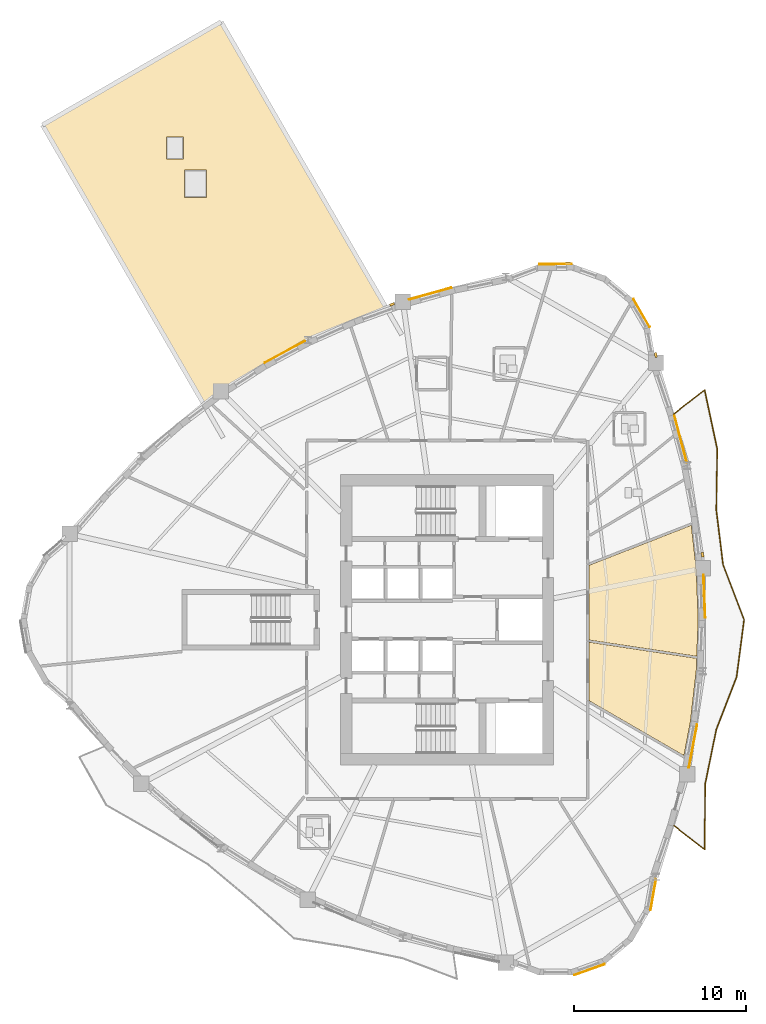
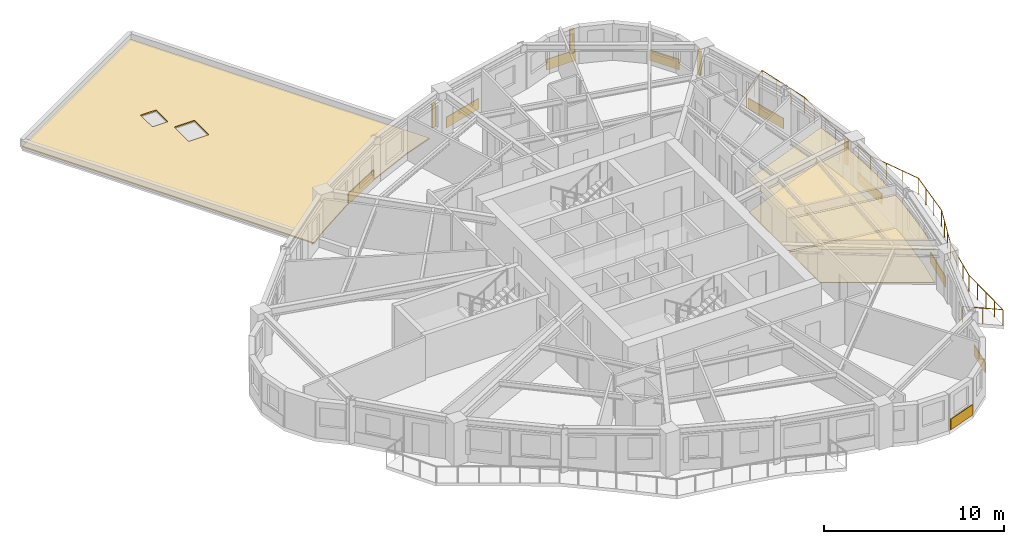
# One storey, part 12 of 13: 14 coverings, 4 shading devices, 1 railing.
"""IFC4 building model written with IfcOpenShell, lengths in metres."""

from ifc_helpers import new_model, si_unit, direction, frame, origin, origin_2d, place, context, subcontext, project, spatial, polyline, rectangle, circle, outline, extrude, source, transform, mapped, material, layer, layer_set, type_object, element, save


model = new_model("IFC4")

# Units and contexts
model_context = context("Model", 3, precision=1e-05, world=origin(), true_north=direction((0.0, 1.0)))
body_context = subcontext(model_context, "Body", "Model", "MODEL_VIEW")
ifc_project = project(units=[si_unit("LENGTHUNIT", "METRE"), si_unit("AREAUNIT", "SQUARE_METRE"), si_unit("VOLUMEUNIT", "CUBIC_METRE"), si_unit("PLANEANGLEUNIT", "RADIAN"), si_unit("MASSUNIT", "GRAM", prefix="KILO")], contexts=[model_context])

# Site, building, storey
site_placement = place(None, origin())
site = spatial("IfcSite", under=ifc_project, at=site_placement, CompositionType="ELEMENT")
building_placement = place(site_placement, origin())
building = spatial("IfcBuilding", under=site, at=building_placement, Name="Qafzar Sky-Pleat Residences", CompositionType="ELEMENT")
storey_placement = place(building_placement, frame((0.0, 0.0, 89.60009765625)))
storey = spatial("IfcBuildingStorey", under=building, at=storey_placement, Name="L26", CompositionType="ELEMENT", Elevation=89.60009765625)

# Coverings
ifc_material_1 = material(Name="Perforated acoustic gypsum board ceiling")
ifc_layer_1 = layer(ifc_material_1, 0.02001953125)
ifc_layer_set_1 = layer_set([ifc_layer_1], Name="Perforated acoustic gypsum board ceiling")
covering_type_1 = type_object("IfcCoveringType", Name="COV-CEIL-ACOUSTIC", PredefinedType="CEILING", material=ifc_layer_set_1)
covering_1_placement = place(storey_placement, frame((0.0, 0.0, 2.239990234375)))
element("IfcCovering", 1, at=covering_1_placement, inside=storey, type_object=covering_type_1, Name="L26 Communal Kitchen Acoustic Ceiling", PredefinedType="CEILING", context=body_context, shape_type="SweptSolid", body=[
    extrude(outline(polyline([(44.846435546875, 23.035400390625), (44.508544921875, 20.070068359375), (44.132080078125, 18.089111328125), (38.590087890625, 21.298095703125), (38.590087890625, 24.6982421875), (44.873779296875, 23.751708984375), (44.846435546875, 23.035400390625)])), origin(), (0.0, 0.0, 1.0), 0.02001953125),
])
covering_2_placement = place(storey_placement, frame((0.0, 0.0, 2.239990234375)))
element("IfcCovering", 2, at=covering_2_placement, inside=storey, type_object=covering_type_1, Name="L26 Co-Living Lounge Acoustic Ceiling", PredefinedType="CEILING", context=body_context, shape_type="SweptSolid", body=[
    extrude(outline(polyline([(44.846435546875, 28.964599609375), (44.959228515625, 26.0), (44.87841796875, 23.872314453125), (38.590087890625, 24.819580078125), (38.590087890625, 29.162841796875), (44.5576171875, 31.5), (44.846435546875, 28.964599609375)])), origin(), (0.0, 0.0, 1.0), 0.02001953125),
])
ifc_material_2 = material(Name="Honed porcelain and Riyadh stone tile flooring", Category="masonry")
ifc_layer_2 = layer(ifc_material_2, 0.02001953125)
ifc_layer_set_2 = layer_set([ifc_layer_2], Name="Honed porcelain and Riyadh stone tile flooring")
covering_type_2 = type_object("IfcCoveringType", Name="COV-FLR-PORCELAIN", PredefinedType="FLOORING", material=ifc_layer_set_2)
covering_3_placement = place(storey_placement, origin())
element("IfcCovering", 3, at=covering_3_placement, inside=storey, type_object=covering_type_2, Name="L26 Communal Kitchen Honed Stone Flooring", PredefinedType="FLOORING", context=body_context, shape_type="SweptSolid", body=[
    extrude(outline(polyline([(44.846435546875, 23.035400390625), (44.508544921875, 20.070068359375), (44.132080078125, 18.089111328125), (38.590087890625, 21.298095703125), (38.590087890625, 24.6982421875), (44.873779296875, 23.751708984375), (44.846435546875, 23.035400390625)])), origin(), (0.0, 0.0, 1.0), 0.02001953125),
])
covering_4_placement = place(storey_placement, origin())
element("IfcCovering", 4, at=covering_4_placement, inside=storey, type_object=covering_type_2, Name="L26 Co-Living Lounge Honed Stone Flooring", PredefinedType="FLOORING", context=body_context, shape_type="SweptSolid", body=[
    extrude(outline(polyline([(44.846435546875, 28.964599609375), (44.959228515625, 26.0), (44.87841796875, 23.872314453125), (38.590087890625, 24.819580078125), (38.590087890625, 29.162841796875), (44.5576171875, 31.5), (44.846435546875, 28.964599609375)])), origin(), (0.0, 0.0, 1.0), 0.02001953125),
])
ifc_material_3 = material(Name="Inverted elastomeric waterproofing membrane and gravel ballast")
ifc_layer_3 = layer(ifc_material_3, 0.080078125)
ifc_layer_set_3 = layer_set([ifc_layer_3], Name="Inverted elastomeric waterproofing membrane and gravel ballast")
covering_type_3 = type_object("IfcCoveringType", Name="COV-ROOF-MEMB", PredefinedType="ROOFING", material=ifc_layer_set_3)
covering_5_placement = place(storey_placement, origin())
element("IfcCovering", 5, at=covering_5_placement, inside=storey, type_object=covering_type_3, Name="L26 SB-2 Roof Waterproofing Membrane", PredefinedType="ROOFING", context=body_context, shape_type="SweptSolid", body=[
    extrude(outline(polyline([(6.792236328125, 54.802978515625), (17.1845703125, 60.802978515625), (26.782958984375, 44.178466796875), (24.94140625, 43.5166015625), (24.940185546875, 43.516357421875), (22.230224609375, 42.30859375), (22.229248046875, 42.30810546875), (19.6328125, 40.90771484375), (19.6318359375, 40.906982421875), (17.1494140625, 39.3134765625), (17.1484375, 39.312744140625), (16.164306640625, 38.570556640625), (6.792236328125, 54.802978515625)]), holes=[polyline([(15.044189453125, 50.58447265625), (16.34423828125, 50.58447265625), (16.34423828125, 52.1845703125), (15.044189453125, 52.1845703125), (15.044189453125, 50.58447265625)]), polyline([(13.994384765625, 52.81298828125), (14.994384765625, 52.81298828125), (14.994384765625, 54.113037109375), (13.994384765625, 54.113037109375), (13.994384765625, 52.81298828125)])]), origin(), (0.0, 0.0, 1.0), 0.079833984375),
])

# Shading devices
ifc_material_4 = material(Name="Honed Riyadh limestone solar fin", Category="masonry")
ifc_layer_4 = layer(ifc_material_4, 0.139892578125)
ifc_layer_set_4 = layer_set([ifc_layer_4], Name="Honed Riyadh limestone solar fin")
shading_device_type = type_object("IfcShadingDeviceType", Name="SHD-FIN-STONE", PredefinedType="SHUTTER", material=ifc_layer_set_4)
shared_shape_1 = source(origin(), body_context, "Body", "SweptSolid", [
    extrude(rectangle(XDim=0.139892578125, YDim=0.280029296875, at=origin_2d()), origin(), (0.0, 0.0, 1.0), 1.60009765625),
])
for number, where, z_axis, x_axis, name in (
    (6, (45.21044921875, 29.78857421875, 0.599853515625), (0.0, 0.0, 1.0), (0.993566532225, 0.113249927341, 0.0), "L26 Limestone Solar Fin 29"),
    (7, (42.4931640625, 41.4111328125, 0.599853515625), (0.0, 0.0, 1.0), (0.984675881773, 0.174394403163, 0.0), "L26 Limestone Solar Fin 33"),
    (8, (37.37939453125, 46.751953125, 0.599853515625), (0.0, 0.0, 1.0), (-0.006821730637, 0.999976731725, 0.0), "L26 Limestone Solar Fin 37"),
    (9, (27.13720703125, 44.35888671875, 0.599853515625), (0.0, 0.0, 1.0), (-0.338157682767, 0.94108946524, 0.0), "L26 Limestone Solar Fin 41"),
):
    element("IfcShadingDevice", number, at=place(storey_placement, frame(where, z_axis=z_axis, x_axis=x_axis)), inside=storey, type_object=shading_device_type, Name=name, PredefinedType="SHUTTER", context=body_context, shape_type="MappedRepresentation", body=[
        mapped(shared_shape_1, transform((0.0, 0.0, 0.0), x_axis=(1.0, 0.0, 0.0), y_axis=(0.0, 1.0, 0.0), z_axis=(0.0, 0.0, 1.0), scale=1.0)),
    ])

# Coverings
ifc_material_5 = material(Name="Honed Riyadh Tuwaiq limestone cladding", Category="masonry")
ifc_layer_5 = layer(ifc_material_5, 0.044921875)
ifc_layer_set_5 = layer_set([ifc_layer_5], Name="Honed Riyadh Tuwaiq limestone cladding")
covering_type_4 = type_object("IfcCoveringType", Name="COV-CLAD-STONE", PredefinedType="CLADDING", material=ifc_layer_set_5)
shared_shape_2 = source(origin(), body_context, "Body", "SweptSolid", [
    extrude(rectangle(XDim=1.88916015625, YDim=0.044921875, at=origin_2d()), origin(), (0.0, 0.0, 1.0), 0.719970703125),
])
for number, where, z_axis, x_axis, name in (
    (10, (38.63720703125, 5.631103515625, 0.02001953125), (0.0, 0.0, 1.0), (0.941482948476, 0.337060614325, 0.0), "L26 Riyadh Limestone Spandrel Cladding 19"),
    (11, (41.66357421875, 43.84912109375, 0.02001953125), (0.0, 0.0, 1.0), (-0.501956209509, 0.864893036008, 0.0), "L26 Riyadh Limestone Spandrel Cladding 34"),
    (12, (36.666015625, 46.7041015625, 0.02001953125), (0.0, 0.0, 1.0), (-0.999976465978, -0.006860575119, 0.0), "L26 Riyadh Limestone Spandrel Cladding 37"),
):
    element("IfcCovering", number, at=place(storey_placement, frame(where, z_axis=z_axis, x_axis=x_axis)), inside=storey, type_object=covering_type_4, Name=name, PredefinedType="CLADDING", context=body_context, shape_type="MappedRepresentation", body=[
        mapped(shared_shape_2, transform((0.0, 0.0, 0.0), x_axis=(1.0, 0.0, 0.0), y_axis=(0.0, 1.0, 0.0), z_axis=(0.0, 0.0, 1.0), scale=1.0)),
    ])
shared_shape_3 = source(origin(), body_context, "Body", "SweptSolid", [
    extrude(rectangle(XDim=1.8369140625, YDim=0.044921875, at=origin_2d()), origin(), (0.0, 0.0, 1.0), 0.719970703125),
])
covering_6_placement = place(storey_placement, frame((42.34521484375, 10.00048828125, 0.02001953125), z_axis=(0.0, 0.0, 1.0), x_axis=(0.174369449256, 0.984680300994, 0.0)))
element("IfcCovering", 13, at=covering_6_placement, inside=storey, type_object=covering_type_4, Name="L26 Riyadh Limestone Spandrel Cladding 22", PredefinedType="CLADDING", context=body_context, shape_type="MappedRepresentation", body=[
    mapped(shared_shape_3, transform((0.0, 0.0, 0.0), x_axis=(1.0, 0.0, 0.0), y_axis=(0.0, 1.0, 0.0), z_axis=(0.0, 0.0, 1.0), scale=1.0)),
])

# Railing
ifc_material_6 = material(Name="Laminated glass and bronze steel balustrade", Category="steel")
railing_type = type_object("IfcRailingType", Name="RAIL-BAL-1100", PredefinedType="BALUSTRADE", material=ifc_material_6)
shared_shape_4 = source(origin(), body_context, "Body", "SweptSolid", [
    extrude(circle(Radius=0.02392578125, at=origin_2d()), frame((0.0, 0.0, 1.076171875), z_axis=(0.791811965712, -0.6107649392, 0.0), x_axis=(0.6107649392, 0.791811965712, 0.0)), (0.0, 0.0, 1.0), 2.270751953125),
    extrude(circle(Radius=0.02392578125, at=origin_2d()), frame((1.798095703125, -1.386962890625, 1.076171875), z_axis=(0.008255718644, 0.999965920974, 0.0), x_axis=(-0.999965920974, 0.008255718644, 0.0)), (0.0, 0.0, 1.0), 3.81494140625),
    extrude(circle(Radius=0.02392578125, at=origin_2d()), frame((1.82958984375, 2.427734375, 1.076171875), z_axis=(0.200234941814, 0.979747910473, 0.0), x_axis=(-0.979747910473, 0.200234941814, 0.0)), (0.0, 0.0, 1.0), 3.23583984375),
    extrude(circle(Radius=0.02392578125, at=origin_2d()), frame((2.4775390625, 5.59814453125, 1.076171875), z_axis=(0.360738674661, 0.932666933371, 0.0), x_axis=(-0.932666933371, 0.360738674661, 0.0)), (0.0, 0.0, 1.0), 3.271484375),
    extrude(circle(Radius=0.02392578125, at=origin_2d()), frame((3.65771484375, 8.6494140625, 1.076171875), z_axis=(0.129652626541, 0.991559477001, 0.0), x_axis=(-0.991559477001, 0.129652626541, 0.0)), (0.0, 0.0, 1.0), 3.363037109375),
    extrude(circle(Radius=0.02392578125, at=origin_2d()), frame((4.09375, 11.984130859375, 1.076171875), z_axis=(-0.357507023582, 0.933910449716, 0.0), x_axis=(-0.933910449716, -0.357507023582, 0.0)), (0.0, 0.0, 1.0), 3.424072265625),
    extrude(circle(Radius=0.02392578125, at=origin_2d()), frame((2.86962890625, 15.181884765625, 1.076171875), z_axis=(-0.122060750856, 0.992522631027, 0.0), x_axis=(-0.992522631027, -0.122060750856, 0.0)), (0.0, 0.0, 1.0), 3.212158203125),
    extrude(circle(Radius=0.02392578125, at=origin_2d()), frame((2.4775390625, 18.3701171875, 1.076171875), z_axis=(0.014897076555, 0.999889032398, 0.0), x_axis=(-0.999889032398, 0.014897076555, 0.0)), (0.0, 0.0, 1.0), 3.556396484375),
    extrude(circle(Radius=0.02392578125, at=origin_2d()), frame((2.530517578125, 21.926025390625, 1.076171875), z_axis=(-0.208872875057, 0.977942801019, 0.0), x_axis=(-0.977942801019, -0.208872875057, 0.0)), (0.0, 0.0, 1.0), 3.506591796875),
    extrude(circle(Radius=0.02392578125, at=origin_2d()), frame((1.798095703125, 25.355224609375, 1.076171875), z_axis=(-0.791811965712, -0.6107649392, 0.0), x_axis=(0.6107649392, -0.791811965712, 0.0)), (0.0, 0.0, 1.0), 2.270751953125),
    extrude(circle(Radius=0.02099609375, at=origin_2d()), origin(), (0.0, 0.0, 1.0), 1.052001953125),
    extrude(circle(Radius=0.02099609375, at=origin_2d()), frame((0.89892578125, -0.693359375, 0.0)), (0.0, 0.0, 1.0), 1.052001953125),
    extrude(circle(Radius=0.02099609375, at=origin_2d()), frame((1.798095703125, -1.386962890625, 0.0)), (0.0, 0.0, 1.0), 1.052001953125),
    extrude(circle(Radius=0.02099609375, at=origin_2d()), frame((1.805908203125, -0.433349609375, 0.0)), (0.0, 0.0, 1.0), 1.052001953125),
    extrude(circle(Radius=0.02099609375, at=origin_2d()), frame((1.81396484375, 0.5205078125, 0.0)), (0.0, 0.0, 1.0), 1.052001953125),
    extrude(circle(Radius=0.02099609375, at=origin_2d()), frame((1.82177734375, 1.47412109375, 0.0)), (0.0, 0.0, 1.0), 1.052001953125),
    extrude(circle(Radius=0.02099609375, at=origin_2d()), frame((1.82958984375, 2.427734375, 0.0)), (0.0, 0.0, 1.0), 1.052001953125),
    extrude(circle(Radius=0.02099609375, at=origin_2d()), frame((2.045654296875, 3.484619140625, 0.0)), (0.0, 0.0, 1.0), 1.052001953125),
    extrude(circle(Radius=0.02099609375, at=origin_2d()), frame((2.261474609375, 4.541259765625, 0.0)), (0.0, 0.0, 1.0), 1.052001953125),
    extrude(circle(Radius=0.02099609375, at=origin_2d()), frame((2.4775390625, 5.59814453125, 0.0)), (0.0, 0.0, 1.0), 1.052001953125),
    extrude(circle(Radius=0.02099609375, at=origin_2d()), frame((2.870849609375, 6.615234375, 0.0)), (0.0, 0.0, 1.0), 1.052001953125),
    extrude(circle(Radius=0.02099609375, at=origin_2d()), frame((3.264404296875, 7.63232421875, 0.0)), (0.0, 0.0, 1.0), 1.052001953125),
    extrude(circle(Radius=0.02099609375, at=origin_2d()), frame((3.65771484375, 8.6494140625, 0.0)), (0.0, 0.0, 1.0), 1.052001953125),
    extrude(circle(Radius=0.02099609375, at=origin_2d()), frame((3.802978515625, 9.760986328125, 0.0)), (0.0, 0.0, 1.0), 1.052001953125),
    extrude(circle(Radius=0.02099609375, at=origin_2d()), frame((3.948486328125, 10.87255859375, 0.0)), (0.0, 0.0, 1.0), 1.052001953125),
    extrude(circle(Radius=0.02099609375, at=origin_2d()), frame((4.09375, 11.984130859375, 0.0)), (0.0, 0.0, 1.0), 1.052001953125),
    extrude(circle(Radius=0.02099609375, at=origin_2d()), frame((3.685791015625, 13.050048828125, 0.0)), (0.0, 0.0, 1.0), 1.052001953125),
    extrude(circle(Radius=0.02099609375, at=origin_2d()), frame((3.277587890625, 14.115966796875, 0.0)), (0.0, 0.0, 1.0), 1.052001953125),
    extrude(circle(Radius=0.02099609375, at=origin_2d()), frame((2.86962890625, 15.181884765625, 0.0)), (0.0, 0.0, 1.0), 1.052001953125),
    extrude(circle(Radius=0.02099609375, at=origin_2d()), frame((2.739013671875, 16.24462890625, 0.0)), (0.0, 0.0, 1.0), 1.052001953125),
    extrude(circle(Radius=0.02099609375, at=origin_2d()), frame((2.608154296875, 17.307373046875, 0.0)), (0.0, 0.0, 1.0), 1.052001953125),
    extrude(circle(Radius=0.02099609375, at=origin_2d()), frame((2.4775390625, 18.3701171875, 0.0)), (0.0, 0.0, 1.0), 1.052001953125),
    extrude(circle(Radius=0.02099609375, at=origin_2d()), frame((2.4951171875, 19.555419921875, 0.0)), (0.0, 0.0, 1.0), 1.052001953125),
    extrude(circle(Radius=0.02099609375, at=origin_2d()), frame((2.512939453125, 20.74072265625, 0.0)), (0.0, 0.0, 1.0), 1.052001953125),
    extrude(circle(Radius=0.02099609375, at=origin_2d()), frame((2.530517578125, 21.926025390625, 0.0)), (0.0, 0.0, 1.0), 1.052001953125),
    extrude(circle(Radius=0.02099609375, at=origin_2d()), frame((2.286376953125, 23.069091796875, 0.0)), (0.0, 0.0, 1.0), 1.052001953125),
    extrude(circle(Radius=0.02099609375, at=origin_2d()), frame((2.042236328125, 24.212158203125, 0.0)), (0.0, 0.0, 1.0), 1.052001953125),
    extrude(circle(Radius=0.02099609375, at=origin_2d()), frame((1.798095703125, 25.355224609375, 0.0)), (0.0, 0.0, 1.0), 1.052001953125),
    extrude(circle(Radius=0.02099609375, at=origin_2d()), frame((0.89892578125, 24.66162109375, 0.0)), (0.0, 0.0, 1.0), 1.052001953125),
    extrude(circle(Radius=0.02099609375, at=origin_2d()), frame((0.0, 23.96826171875, 0.0)), (0.0, 0.0, 1.0), 1.052001953125),
])
railing_placement = place(storey_placement, frame((43.53857421875, 14.015869140625, 0.0)))
element("IfcRailing", 14, at=railing_placement, inside=storey, type_object=railing_type, Name="L26 Pleated Balcony 1 Balustrade", PredefinedType="BALUSTRADE", context=body_context, shape_type="MappedRepresentation", body=[
    mapped(shared_shape_4, transform((0.0, 0.0, 0.0), x_axis=(1.0, 0.0, 0.0), y_axis=(0.0, 1.0, 0.0), z_axis=(0.0, 0.0, 1.0), scale=1.0)),
])

# Coverings
shared_shape_5 = source(origin(), body_context, "Body", "SweptSolid", [
    extrude(rectangle(XDim=2.5703125, YDim=0.044921875, at=origin_2d()), origin(), (0.0, 0.0, 1.0), 0.719970703125),
])
covering_7_placement = place(storey_placement, frame((44.656494140625, 18.64208984375, 0.02001953125), z_axis=(0.0, 0.0, 1.0), x_axis=(0.186672812525, 0.98242213995, 0.0)))
element("IfcCovering", 15, at=covering_7_placement, inside=storey, type_object=covering_type_4, Name="L26 Riyadh Limestone Spandrel Cladding 25", PredefinedType="CLADDING", context=body_context, shape_type="MappedRepresentation", body=[
    mapped(shared_shape_5, transform((0.0, 0.0, 0.0), x_axis=(1.0, 0.0, 0.0), y_axis=(0.0, 1.0, 0.0), z_axis=(0.0, 0.0, 1.0), scale=1.0)),
])
shared_shape_6 = source(origin(), body_context, "Body", "SweptSolid", [
    extrude(rectangle(XDim=2.52392578125, YDim=0.044921875, at=origin_2d()), origin(), (0.0, 0.0, 1.0), 0.719970703125),
])
covering_8_placement = place(storey_placement, frame((45.319580078125, 27.364013671875, 0.02001953125), z_axis=(0.0, 0.0, 1.0), x_axis=(-0.037977080254, 0.999278610486, 0.0)))
element("IfcCovering", 16, at=covering_8_placement, inside=storey, type_object=covering_type_4, Name="L26 Riyadh Limestone Spandrel Cladding 28", PredefinedType="CLADDING", context=body_context, shape_type="MappedRepresentation", body=[
    mapped(shared_shape_6, transform((0.0, 0.0, 0.0), x_axis=(1.0, 0.0, 0.0), y_axis=(0.0, 1.0, 0.0), z_axis=(0.0, 0.0, 1.0), scale=1.0)),
])
shared_shape_7 = source(origin(), body_context, "Body", "SweptSolid", [
    extrude(rectangle(XDim=2.8046875, YDim=0.044921875, at=origin_2d()), origin(), (0.0, 0.0, 1.0), 0.719970703125),
])
covering_9_placement = place(storey_placement, frame((43.94091796875, 36.513427734375, 0.02001953125), z_axis=(0.0, 0.0, 1.0), x_axis=(-0.257095393511, 0.966386029822, 0.0)))
element("IfcCovering", 17, at=covering_9_placement, inside=storey, type_object=covering_type_4, Name="L26 Riyadh Limestone Spandrel Cladding 31", PredefinedType="CLADDING", context=body_context, shape_type="MappedRepresentation", body=[
    mapped(shared_shape_7, transform((0.0, 0.0, 0.0), x_axis=(1.0, 0.0, 0.0), y_axis=(0.0, 1.0, 0.0), z_axis=(0.0, 0.0, 1.0), scale=1.0)),
])
shared_shape_8 = source(origin(), body_context, "Body", "SweptSolid", [
    extrude(rectangle(XDim=2.572509765625, YDim=0.044921875, at=origin_2d()), origin(), (0.0, 0.0, 1.0), 0.719970703125),
])
covering_10_placement = place(storey_placement, frame((29.3623046875, 44.9853515625, 0.02001953125), z_axis=(0.0, 0.0, 1.0), x_axis=(-0.963044274511, -0.269343136781, 0.0)))
element("IfcCovering", 18, at=covering_10_placement, inside=storey, type_object=covering_type_4, Name="L26 Riyadh Limestone Spandrel Cladding 40", PredefinedType="CLADDING", context=body_context, shape_type="MappedRepresentation", body=[
    mapped(shared_shape_8, transform((0.0, 0.0, 0.0), x_axis=(1.0, 0.0, 0.0), y_axis=(0.0, 1.0, 0.0), z_axis=(0.0, 0.0, 1.0), scale=1.0)),
])
shared_shape_9 = source(origin(), body_context, "Body", "SweptSolid", [
    extrude(rectangle(XDim=2.67138671875, YDim=0.044921875, at=origin_2d()), origin(), (0.0, 0.0, 1.0), 0.719970703125),
])
covering_11_placement = place(storey_placement, frame((20.902099609375, 41.600341796875, 0.02001953125), z_axis=(0.0, 0.0, 1.0), x_axis=(-0.88010083867, -0.474786808759, 0.0)))
element("IfcCovering", 19, at=covering_11_placement, inside=storey, type_object=covering_type_4, Name="L26 Riyadh Limestone Spandrel Cladding 43", PredefinedType="CLADDING", context=body_context, shape_type="MappedRepresentation", body=[
    mapped(shared_shape_9, transform((0.0, 0.0, 0.0), x_axis=(1.0, 0.0, 0.0), y_axis=(0.0, 1.0, 0.0), z_axis=(0.0, 0.0, 1.0), scale=1.0)),
])

save(model, "model.ifc")
